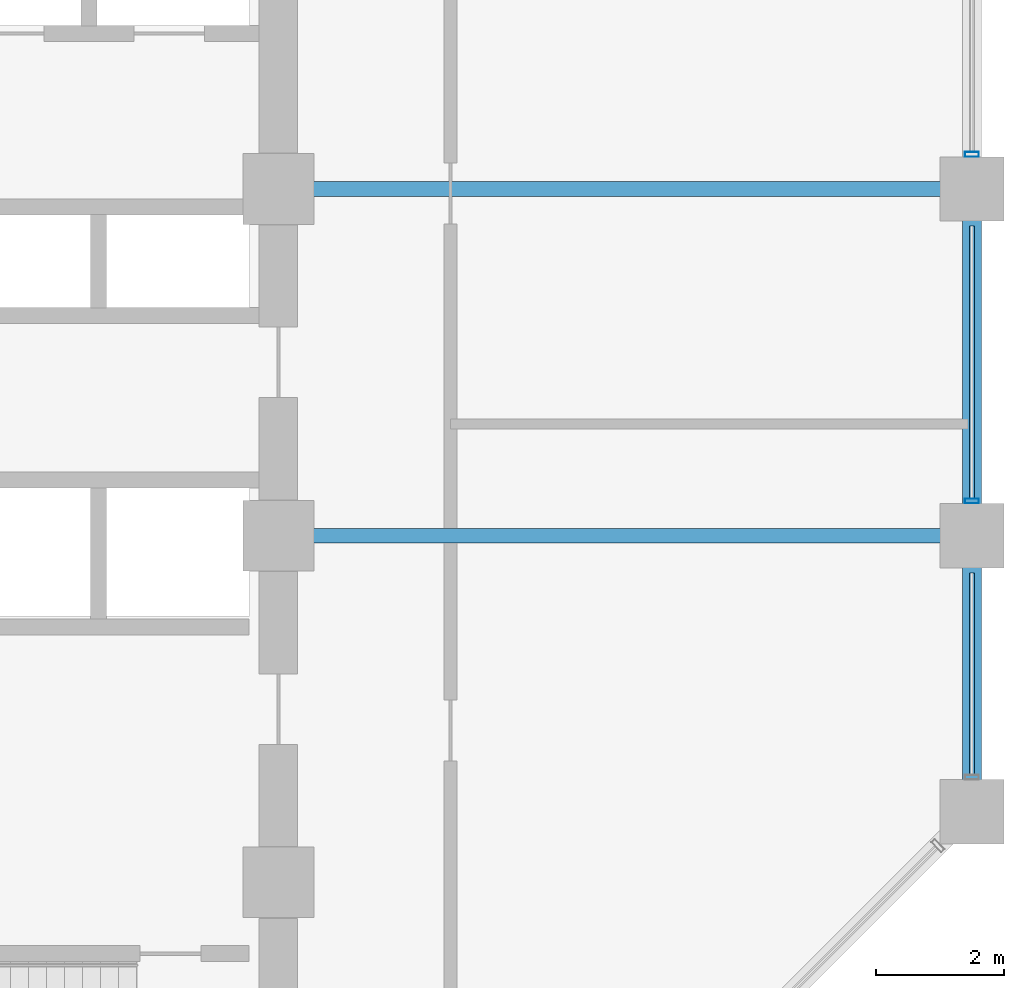
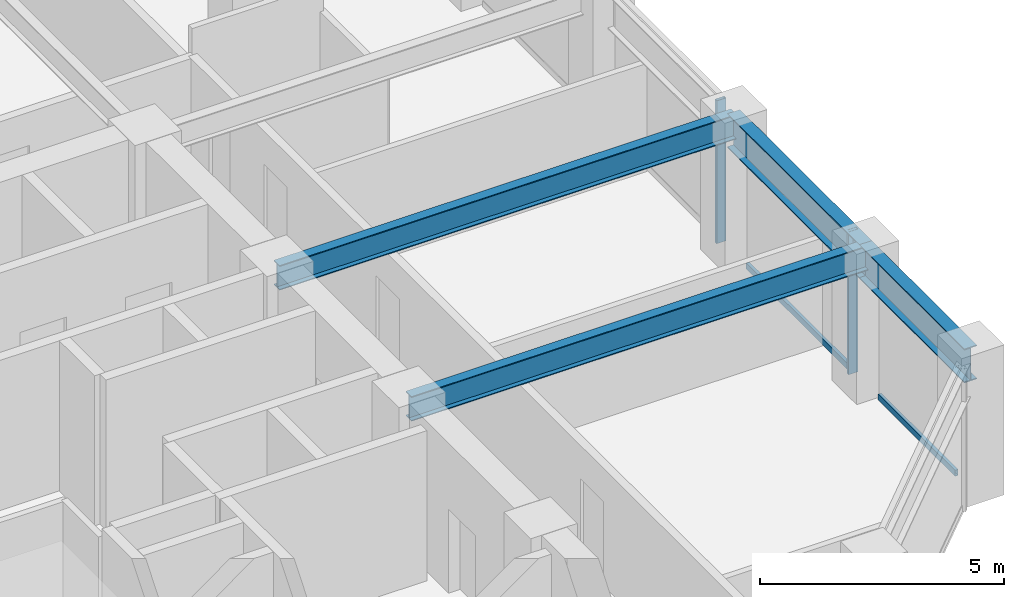
# One storey, part 9 of 23: 4 beams, 4 members, 1 element without a shape of its own.
"""IFC4 building model written with IfcOpenShell, lengths in metres."""

from ifc_helpers import new_model, si_unit, direction, frame, origin, origin_2d, place, context, subcontext, project, spatial, hollow_rectangle, i_section, extrude, material, layer, layer_set, material_profile, profile_set, type_object, element, aggregate, save


model = new_model("IFC4")

# Units and contexts
model_context = context("Model", 3, precision=1e-05, world=origin(), true_north=direction((0.0, 1.0)))
body_context = subcontext(model_context, "Body", "Model", "MODEL_VIEW")
ifc_project = project(units=[si_unit("LENGTHUNIT", "METRE"), si_unit("AREAUNIT", "SQUARE_METRE"), si_unit("VOLUMEUNIT", "CUBIC_METRE"), si_unit("PLANEANGLEUNIT", "RADIAN"), si_unit("MASSUNIT", "GRAM", prefix="KILO")], contexts=[model_context])

# Site, building, storey
site_placement = place(None, origin())
site = spatial("IfcSite", under=ifc_project, at=site_placement, CompositionType="ELEMENT")
building_placement = place(site_placement, origin())
building = spatial("IfcBuilding", under=site, at=building_placement, Name="Surkhivell Harbour Commons", CompositionType="ELEMENT")
storey_placement = place(building_placement, frame((0.0, 0.0, 132.0)))
storey = spatial("IfcBuildingStorey", under=building, at=storey_placement, Name="L34", CompositionType="ELEMENT", Elevation=132.0)

# Beams
ifc_material_1 = material(Name="Steel S355", Category="steel")
ifc_material_profile_1 = material_profile(ifc_material_1, i_section(OverallWidth=0.22998046875, OverallDepth=0.616943359375, WebThickness=0.01318359375, FlangeThickness=0.022216796875, at=origin_2d()), Name="UB610x229x140")
ifc_profile_set_1 = profile_set([ifc_material_profile_1], Name="Steel S355")
beam_type_1 = type_object("IfcBeamType", Name="BM-GRD-610B", PredefinedType="BEAM", material=ifc_profile_set_1)
for number, where, z_axis, x_axis, name in (
    (1, (10.800048828125, 0.0, 3.261474609375), (1.0, 0.0, 0.0), (0.0, 1.0, 0.0), "L34 Floor Girder (10.8,0.0)"),
    (2, (10.800048828125, 5.39990234375, 3.261474609375), (1.0, 0.0, 0.0), (0.0, 1.0, 0.0), "L34 Floor Girder (10.8,5.4)"),
):
    element("IfcBeam", number, at=place(storey_placement, frame(where, z_axis=z_axis, x_axis=x_axis)), inside=storey, type_object=beam_type_1, Name=name, PredefinedType="BEAM", context=body_context, shape_type="SweptSolid", body=[
        extrude(i_section(OverallWidth=0.22998046875, OverallDepth=0.616943359375, WebThickness=0.01318359375, FlangeThickness=0.022216796875, at=origin_2d()), origin(), (0.0, 0.0, 1.0), 10.800048828125),
    ])
ifc_material_2 = material(Name="Steel S460", Category="steel")
ifc_material_profile_2 = material_profile(ifc_material_2, i_section(OverallWidth=0.2939453125, OverallDepth=0.85107421875, WebThickness=0.01611328125, FlangeThickness=0.02685546875, at=origin_2d()), Name="UB838x292x226")
ifc_profile_set_2 = profile_set([ifc_material_profile_2], Name="Steel S460")
beam_type_2 = type_object("IfcBeamType", Name="BM-SPN-838", PredefinedType="SPANDREL", material=ifc_profile_set_2)
beam_1_placement = place(storey_placement, frame((21.60009765625, -4.300048828125, 3.14453125), z_axis=(0.0, 1.0, 0.0), x_axis=(-1.0, 0.0, 0.0)))
element("IfcBeam", 3, at=beam_1_placement, inside=storey, type_object=beam_type_2, Name="L34 Tube Spandrel (21.6,-4.3)", PredefinedType="SPANDREL", context=body_context, shape_type="SweptSolid", body=[
    extrude(i_section(OverallWidth=0.2939453125, OverallDepth=0.85107421875, WebThickness=0.01611328125, FlangeThickness=0.02685546875, at=origin_2d()), origin(), (0.0, 0.0, 1.0), 4.300048828125),
])
beam_2_placement = place(storey_placement, frame((21.60009765625, 0.0, 3.14453125), z_axis=(0.0, 1.0, 0.0), x_axis=(-1.0, 0.0, 0.0)))
element("IfcBeam", 4, at=beam_2_placement, inside=storey, type_object=beam_type_2, Name="L34 Tube Spandrel (21.6,0.0)", PredefinedType="SPANDREL", context=body_context, shape_type="SweptSolid", body=[
    extrude(i_section(OverallWidth=0.2939453125, OverallDepth=0.85107421875, WebThickness=0.01611328125, FlangeThickness=0.02685546875, at=origin_2d()), origin(), (0.0, 0.0, 1.0), 5.39990234375),
])

# Curtain wall, members
ifc_material_3 = material(Name="Anodised pale-metal aluminium and insulated glazing", Category="aluminium")
ifc_layer = layer(ifc_material_3, 0.205078125)
ifc_layer_set = layer_set([ifc_layer], Name="Anodised pale-metal aluminium and insulated glazing")
curtain_wall_type = type_object("IfcCurtainWallType", Name="CW-SYS-Z2", PredefinedType="NOTDEFINED", material=ifc_layer_set)
curtain_wall_placement = place(storey_placement, origin())
curtain_wall = element("IfcCurtainWall", 5, at=curtain_wall_placement, inside=storey, type_object=curtain_wall_type, Name="L34 Curtain Wall CW-L34-E02", PredefinedType="NOTDEFINED")
ifc_material_4 = material(Name="Anodised pale-metal aluminium alloy 6063-T6", Category="aluminium")
ifc_material_profile_3 = material_profile(ifc_material_4, hollow_rectangle(XDim=0.074951171875, YDim=0.219970703125, WallThickness=0.00390625, at=origin_2d()), Name="ALU-MULL-75x220")
ifc_profile_set_3 = profile_set([ifc_material_profile_3], Name="Anodised pale-metal aluminium alloy 6063-T6")
member_type_1 = type_object("IfcMemberType", Name="CWM-220", PredefinedType="MULLION", material=ifc_profile_set_3)
member_1_placement = place(storey_placement, frame((21.60009765625, 0.53955078125, 0.0), z_axis=(0.0, 0.0, 1.0), x_axis=(0.0, 1.0, 0.0)))
member_1 = element("IfcMember", 6, at=member_1_placement, type_object=member_type_1, Name="CW-Z2 mullion 2", PredefinedType="MULLION", context=body_context, shape_type="SweptSolid", body=[
    extrude(hollow_rectangle(XDim=0.074951171875, YDim=0.219970703125, WallThickness=0.00390625, at=origin_2d()), origin(), (0.0, 0.0, 1.0), 3.570068359375),
])
member_2_placement = place(storey_placement, frame((21.60009765625, 5.939453125, 0.0), z_axis=(0.0, 0.0, 1.0), x_axis=(0.0, 1.0, 0.0)))
member_2 = element("IfcMember", 7, at=member_2_placement, type_object=member_type_1, Name="CW-Z2 mullion 3", PredefinedType="MULLION", context=body_context, shape_type="SweptSolid", body=[
    extrude(hollow_rectangle(XDim=0.074951171875, YDim=0.219970703125, WallThickness=0.00390625, at=origin_2d()), origin(), (0.0, 0.0, 1.0), 3.570068359375),
])
ifc_material_profile_4 = material_profile(ifc_material_4, hollow_rectangle(XDim=0.074951171875, YDim=0.14990234375, WallThickness=0.00341796875, at=origin_2d()), Name="ALU-TRAN-75x150")
ifc_profile_set_4 = profile_set([ifc_material_profile_4], Name="Anodised pale-metal aluminium alloy 6063-T6")
member_type_2 = type_object("IfcMemberType", Name="CWT-150", PredefinedType="USERDEFINED", material=ifc_profile_set_4)
member_3_placement = place(storey_placement, frame((21.60009765625, -3.722900390625, 0.074951171875), z_axis=(0.0, 1.0, 0.0), x_axis=(-1.0, 0.0, 0.0)))
member_3 = element("IfcMember", 8, at=member_3_placement, type_object=member_type_2, Name="CW-Z2 transom 1.1", ObjectType="TRANSOM", PredefinedType="USERDEFINED", context=body_context, shape_type="SweptSolid", body=[
    extrude(hollow_rectangle(XDim=0.074951171875, YDim=0.14990234375, WallThickness=0.00341796875, at=origin_2d()), origin(), (0.0, 0.0, 1.0), 3.14599609375),
])
member_4_placement = place(storey_placement, frame((21.60009765625, 0.576904296875, 0.074951171875), z_axis=(0.0, 1.0, 0.0), x_axis=(-1.0, 0.0, 0.0)))
member_4 = element("IfcMember", 9, at=member_4_placement, type_object=member_type_2, Name="CW-Z2 transom 2.1", ObjectType="TRANSOM", PredefinedType="USERDEFINED", context=body_context, shape_type="SweptSolid", body=[
    extrude(hollow_rectangle(XDim=0.074951171875, YDim=0.14990234375, WallThickness=0.00341796875, at=origin_2d()), origin(), (0.0, 0.0, 1.0), 4.24609375),
])
aggregate(curtain_wall, [member_3, member_1, member_4, member_2])

save(model, "model.ifc")
